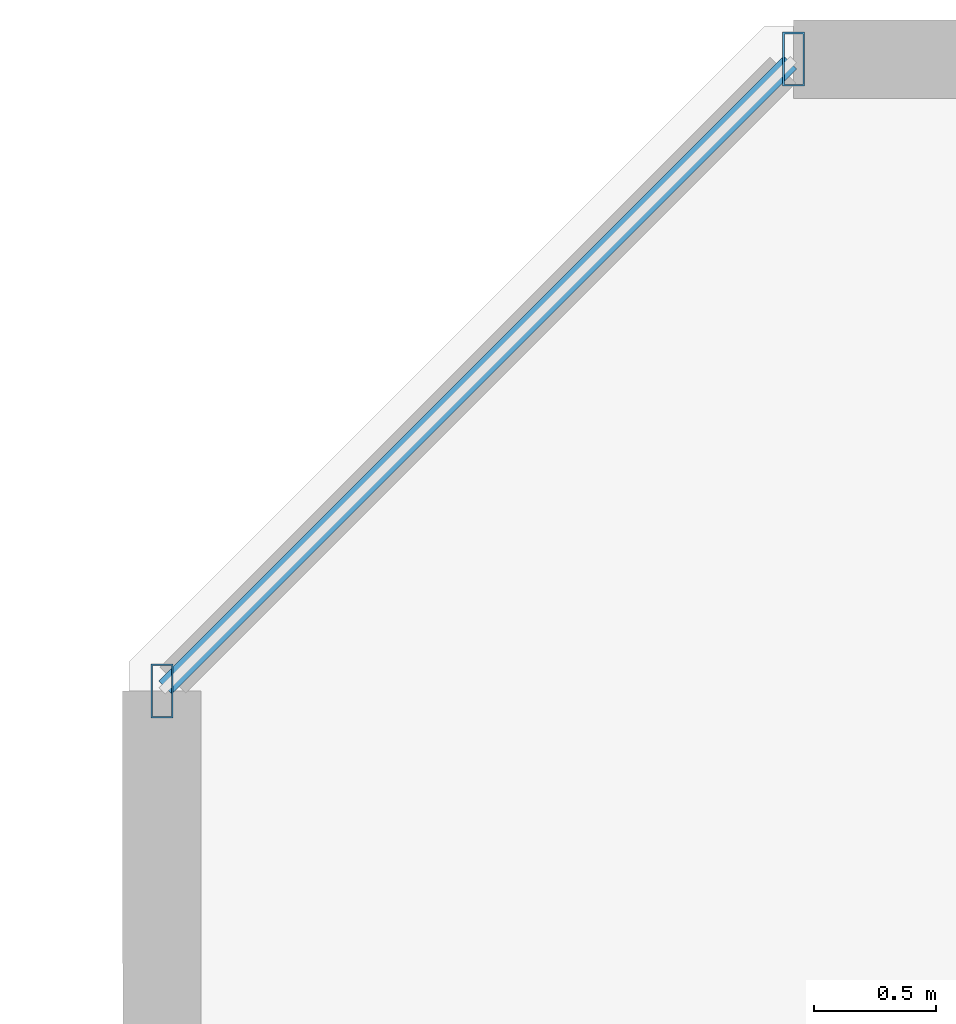
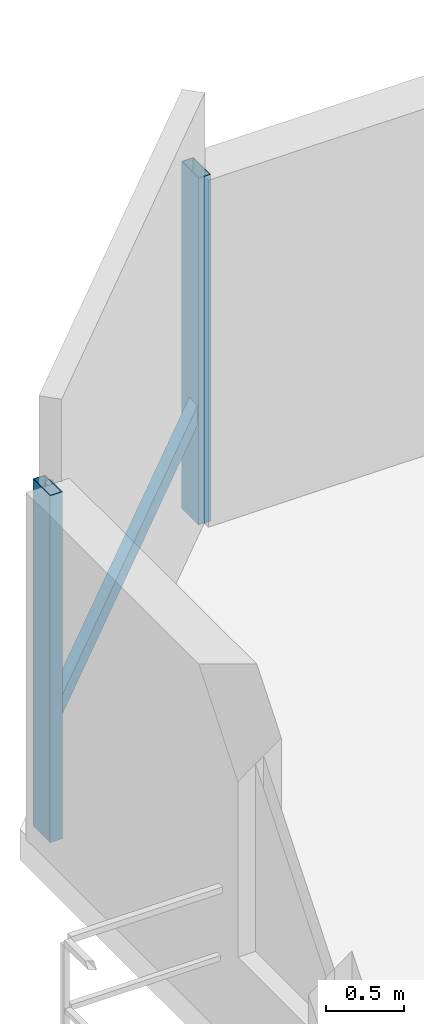
# One storey, part 7 of 33: 3 members, 1 element without a shape of its own.
"""IFC4 building model written with IfcOpenShell, lengths in metres."""

from ifc_helpers import new_model, si_unit, direction, frame, origin, origin_2d, place, context, subcontext, project, spatial, hollow_rectangle, extrude, material, material_profile, profile_set, type_object, element, aggregate, save


model = new_model("IFC4")

# Units and contexts
model_context = context("Model", 3, precision=1e-05, world=origin(), true_north=direction((0.0, 1.0)))
body_context = subcontext(model_context, "Body", "Model", "MODEL_VIEW")
ifc_project = project(units=[si_unit("LENGTHUNIT", "METRE"), si_unit("AREAUNIT", "SQUARE_METRE"), si_unit("VOLUMEUNIT", "CUBIC_METRE"), si_unit("PLANEANGLEUNIT", "RADIAN"), si_unit("MASSUNIT", "GRAM", prefix="KILO")], contexts=[model_context])

# Site, building, storey
site_placement = place(None, origin())
site = spatial("IfcSite", under=ifc_project, at=site_placement, CompositionType="ELEMENT")
building_placement = place(site_placement, origin())
building = spatial("IfcBuilding", under=site, at=building_placement, Name="Thornwick Lancets Civic Towers", CompositionType="ELEMENT")
storey_placement = place(building_placement, frame((0.0, 0.0, 31.5)))
storey = spatial("IfcBuildingStorey", under=building, at=storey_placement, Name="L07", CompositionType="ELEMENT", Elevation=31.5)

# Curtain wall, members
ifc_material_1 = material(Name="Low-zone chamfered-corner unitised glass curtain wall", Category="glass")
curtain_wall_type = type_object("IfcCurtainWallType", Name="CW_SYS_03", PredefinedType="NOTDEFINED", material=ifc_material_1)
curtain_wall_placement = place(storey_placement, origin())
curtain_wall = element("IfcCurtainWall", 1, at=curtain_wall_placement, inside=storey, type_object=curtain_wall_type, Name="L07 Curtain Wall CW-L07-A-E5", PredefinedType="NOTDEFINED")
ifc_material_2 = material(Name="Thermally broken bronze aluminium S355", Category="steel")
ifc_material_profile_1 = material_profile(ifc_material_2, hollow_rectangle(XDim=0.090087890625, YDim=0.219970703125, WallThickness=0.00634765625, at=origin_2d()), Name="RHS 220x90x6.3")
ifc_profile_set_1 = profile_set([ifc_material_profile_1], Name="Thermally broken bronze aluminium S355")
member_type_1 = type_object("IfcMemberType", Name="CW_MUL_220", PredefinedType="MULLION", material=ifc_profile_set_1)
member_1_placement = place(storey_placement, frame((3.81884765625, 45.264892578125, 0.0), z_axis=(0.0, 0.0, 1.0), x_axis=(1.0, 0.0, 0.0)))
member_1 = element("IfcMember", 2, at=member_1_placement, type_object=member_type_1, Name="CW-L07-A-E5 Mullion 0", PredefinedType="MULLION", context=body_context, shape_type="SweptSolid", body=[
    extrude(hollow_rectangle(XDim=0.090087890625, YDim=0.219970703125, WallThickness=0.00634765625, at=origin_2d()), origin(), (0.0, 0.0, 1.0), 2.699951171875),
])
member_2_placement = place(storey_placement, frame((1.235107421875, 42.68115234375, 0.0), z_axis=(0.0, 0.0, 1.0), x_axis=(1.0, 0.0, 0.0)))
member_2 = element("IfcMember", 3, at=member_2_placement, type_object=member_type_1, Name="CW-L07-A-E5 Mullion 1", PredefinedType="MULLION", context=body_context, shape_type="SweptSolid", body=[
    extrude(hollow_rectangle(XDim=0.090087890625, YDim=0.219970703125, WallThickness=0.00634765625, at=origin_2d()), origin(), (0.0, 0.0, 1.0), 2.699951171875),
])
ifc_material_profile_2 = material_profile(ifc_material_2, hollow_rectangle(XDim=0.074951171875, YDim=0.14990234375, WallThickness=0.0048828125, at=origin_2d()), Name="RHS 150x75x5")
ifc_profile_set_2 = profile_set([ifc_material_profile_2], Name="Thermally broken bronze aluminium S355")
member_type_2 = type_object("IfcMemberType", Name="CW_TRN_150", PredefinedType="USERDEFINED", material=ifc_profile_set_2)
member_3_placement = place(storey_placement, frame((3.8046875, 45.250732421875, 0.85009765625), z_axis=(-0.707106781187, -0.707106781187, 0.0), x_axis=(0.707106781187, -0.707106781187, 0.0)))
member_3 = element("IfcMember", 4, at=member_3_placement, type_object=member_type_2, Name="CW-L07-A-E5 Transom 0", ObjectType="TRANSOM", PredefinedType="USERDEFINED", context=body_context, shape_type="SweptSolid", body=[
    extrude(hollow_rectangle(XDim=0.074951171875, YDim=0.14990234375, WallThickness=0.0048828125, at=origin_2d()), origin(), (0.0, 0.0, 1.0), 3.614013671875),
])
aggregate(curtain_wall, [member_1, member_2, member_3])

save(model, "model.ifc")
